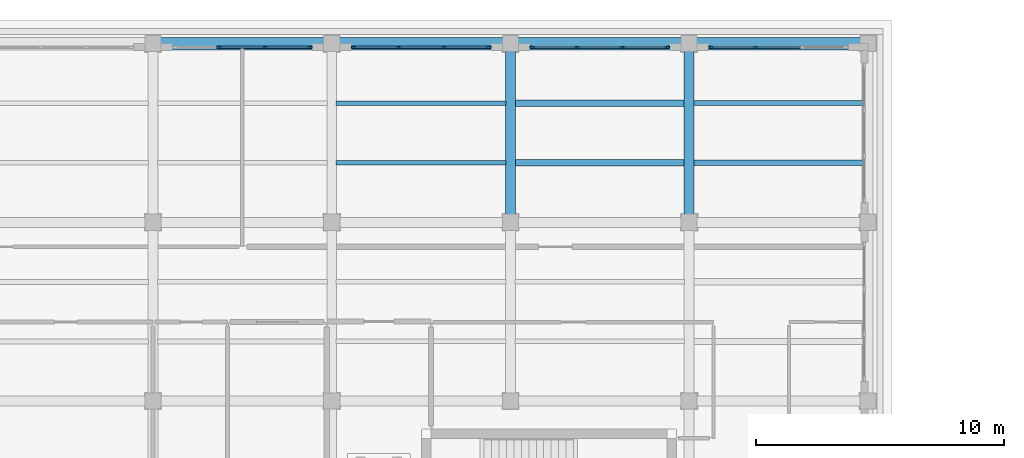
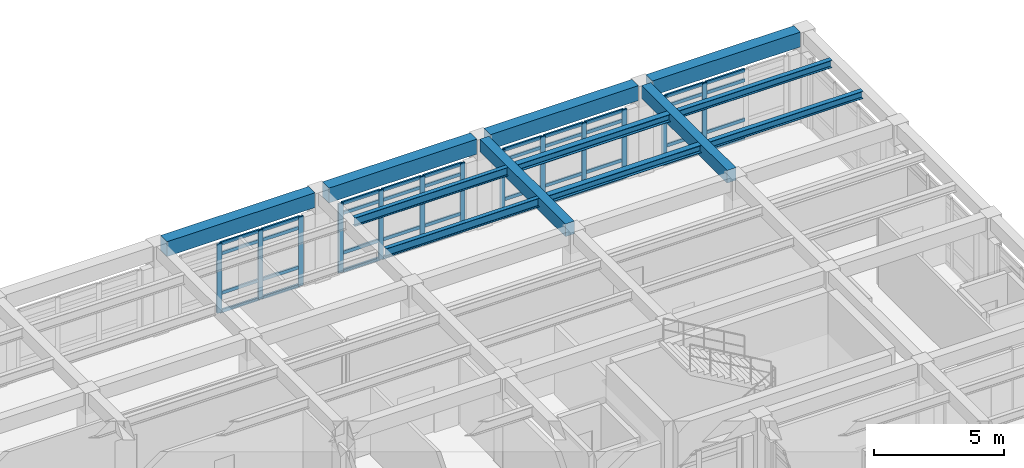
# One storey, part 31 of 55: 53 members, 12 beams, 4 elements without a shape of their own.
"""IFC4 building model written with IfcOpenShell, lengths in metres."""

from ifc_helpers import new_model, si_unit, direction, frame, origin, origin_2d, place, context, subcontext, project, spatial, rectangle, i_section, extrude, material, layer, layer_set, material_profile, profile_set, type_object, element, aggregate, save


model = new_model("IFC4")

# Units and contexts
model_context = context("Model", 3, precision=1e-05, world=origin(), true_north=direction((0.0, 1.0)))
body_context = subcontext(model_context, "Body", "Model", "MODEL_VIEW")
ifc_project = project(units=[si_unit("LENGTHUNIT", "METRE"), si_unit("AREAUNIT", "SQUARE_METRE"), si_unit("VOLUMEUNIT", "CUBIC_METRE"), si_unit("PLANEANGLEUNIT", "RADIAN"), si_unit("MASSUNIT", "GRAM", prefix="KILO")], contexts=[model_context])

# Site, building, storey
site_placement = place(None, origin())
site = spatial("IfcSite", under=ifc_project, at=site_placement, CompositionType="ELEMENT")
building_placement = place(site_placement, origin())
building = spatial("IfcBuilding", under=site, at=building_placement, Name="Solenvale Faculty of Natural Sciences", CompositionType="ELEMENT")
storey_placement = place(building_placement, frame((0.0, 0.0, 22.5)))
storey = spatial("IfcBuildingStorey", under=building, at=storey_placement, Name="L05", CompositionType="ELEMENT", Elevation=22.5)

# Beams
ifc_material_1 = material(Name="Concrete 40 MPa", Category="concrete")
ifc_material_profile_1 = material_profile(ifc_material_1, rectangle(XDim=0.39990234375, YDim=0.60009765625, at=origin_2d()), Name="RC-BM-400x600")
ifc_profile_set_1 = profile_set([ifc_material_profile_1], Name="Concrete 40 MPa")
beam_type_1 = type_object("IfcBeamType", Name="BM-RC-400x600", PredefinedType="BEAM", material=ifc_profile_set_1)
for number, where, z_axis, x_axis, name in (
    (1, (136.800048828125, 108.304931640625, 3.919921875), (0.0, 1.0, 0.0), (-1.0, 0.0, 0.0), "L05 Y-Girder X136.8 (108.0..115.2)"),
    (2, (144.0, 108.304931640625, 3.919921875), (0.0, 1.0, 0.0), (-1.0, 0.0, 0.0), "L05 Y-Girder X144.0 (108.0..115.2)"),
):
    element("IfcBeam", number, at=place(storey_placement, frame(where, z_axis=z_axis, x_axis=x_axis)), inside=storey, type_object=beam_type_1, Name=name, PredefinedType="BEAM", context=body_context, shape_type="SweptSolid", body=[
        extrude(rectangle(XDim=0.39990234375, YDim=0.60009765625, at=origin_2d()), origin(), (0.0, 0.0, 1.0), 6.590087890625),
    ])
ifc_material_2 = material(Name="Precast concrete 40 MPa", Category="concrete")
ifc_material_profile_2 = material_profile(ifc_material_2, rectangle(XDim=0.5, YDim=0.699951171875, at=origin_2d()), Name="RC-BM-500x700")
ifc_profile_set_2 = profile_set([ifc_material_profile_2], Name="Precast concrete 40 MPa")
beam_type_2 = type_object("IfcBeamType", Name="BM-SPN-PRC-700", PredefinedType="SPANDREL", material=ifc_profile_set_2)
beam_placement = place(storey_placement, frame((122.705078125, 115.199951171875, 3.8701171875), z_axis=(1.0, 0.0, 0.0), x_axis=(0.0, 1.0, 0.0)))
element("IfcBeam", 3, at=beam_placement, inside=storey, type_object=beam_type_2, Name="L05 X-Girder Y115.2 (122.4..129.6)", PredefinedType="SPANDREL", context=body_context, shape_type="SweptSolid", body=[
    extrude(rectangle(XDim=0.5, YDim=0.699951171875, at=origin_2d()), origin(), (0.0, 0.0, 1.0), 6.58984375),
])
for number, where, z_axis, x_axis, name in (
    (4, (129.905029296875, 115.199951171875, 3.8701171875), (1.0, 0.0, 0.0), (0.0, 1.0, 0.0), "L05 X-Girder Y115.2 (129.6..136.8)"),
    (5, (137.10498046875, 115.199951171875, 3.8701171875), (1.0, 0.0, 0.0), (0.0, 1.0, 0.0), "L05 X-Girder Y115.2 (136.8..144.0)"),
    (6, (144.304931640625, 115.199951171875, 3.8701171875), (1.0, 0.0, 0.0), (0.0, 1.0, 0.0), "L05 X-Girder Y115.2 (144.0..151.2)"),
):
    element("IfcBeam", number, at=place(storey_placement, frame(where, z_axis=z_axis, x_axis=x_axis)), inside=storey, type_object=beam_type_2, Name=name, PredefinedType="SPANDREL", context=body_context, shape_type="SweptSolid", body=[
        extrude(rectangle(XDim=0.5, YDim=0.699951171875, at=origin_2d()), origin(), (0.0, 0.0, 1.0), 6.590087890625),
    ])
ifc_material_3 = material(Name="Steel S355", Category="steel")
ifc_material_profile_3 = material_profile(ifc_material_3, i_section(OverallWidth=0.2548828125, OverallDepth=0.35693359375, WebThickness=0.010498046875, FlangeThickness=0.018310546875, FilletRadius=0.014892578125, at=origin_2d()), Name="W360x101")
ifc_profile_set_3 = profile_set([ifc_material_profile_3], Name="Steel S355")
beam_type_3 = type_object("IfcBeamType", Name="BM-STL-W360x101", PredefinedType="JOIST", material=ifc_profile_set_3)
for number, where, z_axis, x_axis, name in (
    (7, (136.97998046875, 110.39990234375, 4.04150390625), (1.0, 0.0, 0.0), (0.0, 1.0, 0.0), "L05 Composite Floor Joist (20,16).1"),
    (8, (136.97998046875, 112.800048828125, 4.04150390625), (1.0, 0.0, 0.0), (0.0, 1.0, 0.0), "L05 Composite Floor Joist (20,16).2"),
):
    element("IfcBeam", number, at=place(storey_placement, frame(where, z_axis=z_axis, x_axis=x_axis)), inside=storey, type_object=beam_type_3, Name=name, PredefinedType="JOIST", context=body_context, shape_type="SweptSolid", body=[
        extrude(i_section(OverallWidth=0.2548828125, OverallDepth=0.35693359375, WebThickness=0.010498046875, FlangeThickness=0.018310546875, FilletRadius=0.014892578125, at=origin_2d()), origin(), (0.0, 0.0, 1.0), 6.840087890625),
    ])
ifc_material_profile_4 = material_profile(ifc_material_3, i_section(OverallWidth=0.2041015625, OverallDepth=0.35009765625, WebThickness=0.008544921875, FlangeThickness=0.01513671875, FilletRadius=0.014892578125, at=origin_2d()), Name="W360x72")
ifc_profile_set_4 = profile_set([ifc_material_profile_4], Name="Steel S355")
beam_type_4 = type_object("IfcBeamType", Name="BM-STL-W360x72", PredefinedType="JOIST", material=ifc_profile_set_4)
for number, where, z_axis, x_axis, name in (
    (9, (144.179931640625, 110.39990234375, 4.044921875), (1.0, 0.0, 0.0), (0.0, 1.0, 0.0), "L05 Composite Floor Joist (21,16).1"),
    (10, (144.179931640625, 112.800048828125, 4.044921875), (1.0, 0.0, 0.0), (0.0, 1.0, 0.0), "L05 Composite Floor Joist (21,16).2"),
):
    element("IfcBeam", number, at=place(storey_placement, frame(where, z_axis=z_axis, x_axis=x_axis)), inside=storey, type_object=beam_type_4, Name=name, PredefinedType="JOIST", context=body_context, shape_type="SweptSolid", body=[
        extrude(i_section(OverallWidth=0.2041015625, OverallDepth=0.35009765625, WebThickness=0.008544921875, FlangeThickness=0.01513671875, FilletRadius=0.014892578125, at=origin_2d()), origin(), (0.0, 0.0, 1.0), 6.840087890625),
    ])
ifc_material_profile_5 = material_profile(ifc_material_3, i_section(OverallWidth=0.178955078125, OverallDepth=0.409912109375, WebThickness=0.0087890625, FlangeThickness=0.014404296875, FilletRadius=0.01611328125, at=origin_2d()), Name="W410x67")
ifc_profile_set_5 = profile_set([ifc_material_profile_5], Name="Steel S355")
beam_type_5 = type_object("IfcBeamType", Name="BM-STL-W410x67", PredefinedType="JOIST", material=ifc_profile_set_5)
for number, where, z_axis, x_axis, name in (
    (11, (129.780029296875, 110.39990234375, 4.014892578125), (1.0, 0.0, 0.0), (0.0, 1.0, 0.0), "L05 Composite Floor Joist (19,16).1"),
    (12, (129.780029296875, 112.800048828125, 4.014892578125), (1.0, 0.0, 0.0), (0.0, 1.0, 0.0), "L05 Composite Floor Joist (19,16).2"),
):
    element("IfcBeam", number, at=place(storey_placement, frame(where, z_axis=z_axis, x_axis=x_axis)), inside=storey, type_object=beam_type_5, Name=name, PredefinedType="JOIST", context=body_context, shape_type="SweptSolid", body=[
        extrude(i_section(OverallWidth=0.178955078125, OverallDepth=0.409912109375, WebThickness=0.0087890625, FlangeThickness=0.014404296875, FilletRadius=0.01611328125, at=origin_2d()), origin(), (0.0, 0.0, 1.0), 6.840087890625),
    ])

# Curtain wall, members
ifc_material_4 = material(Name="Anodised bronze aluminium", Category="aluminium")
ifc_layer = layer(ifc_material_4, 0.179931640625)
ifc_layer_set = layer_set([ifc_layer], Name="Anodised bronze aluminium")
curtain_wall_type = type_object("IfcCurtainWallType", Name="CW-TWR-MOD", PredefinedType="USERDEFINED", material=ifc_layer_set)
curtain_wall_1_placement = place(storey_placement, origin())
curtain_wall_1 = element("IfcCurtainWall", 13, at=curtain_wall_1_placement, inside=storey, type_object=curtain_wall_type, Name="L05 Curtain Wall CW-L05-P2-E3-B1", ObjectType="UNITISED CURTAIN WALL", PredefinedType="USERDEFINED")
ifc_material_profile_6 = material_profile(ifc_material_4, rectangle(XDim=0.074951171875, YDim=0.2099609375, at=origin_2d()), Name="ALU-MUL-75x210")
ifc_profile_set_6 = profile_set([ifc_material_profile_6], Name="Anodised bronze aluminium")
member_type_1 = type_object("IfcMemberType", Name="CWM-ALU-75x210", PredefinedType="MULLION", material=ifc_profile_set_6)
member_1_placement = place(storey_placement, frame((146.683349609375, 115.0576171875, 0.0), z_axis=(0.0, 0.0, 1.0), x_axis=(0.0, -1.0, 0.0)))
member_1 = element("IfcMember", 14, at=member_1_placement, type_object=member_type_1, Name="CW-04 mullion 3", PredefinedType="MULLION", context=body_context, shape_type="SweptSolid", body=[
    extrude(rectangle(XDim=0.074951171875, YDim=0.2099609375, at=origin_2d()), origin(), (0.0, 0.0, 1.0), 3.260009765625),
])
member_2_placement = place(storey_placement, frame((144.887451171875, 115.0576171875, 0.0), z_axis=(0.0, 0.0, 1.0), x_axis=(0.0, -1.0, 0.0)))
member_2 = element("IfcMember", 15, at=member_2_placement, type_object=member_type_1, Name="CW-04 mullion 4", PredefinedType="MULLION", context=body_context, shape_type="SweptSolid", body=[
    extrude(rectangle(XDim=0.074951171875, YDim=0.2099609375, at=origin_2d()), origin(), (0.0, 0.0, 1.0), 3.260009765625),
])

curtain_wall_2_placement = place(storey_placement, origin())
curtain_wall_2 = element("IfcCurtainWall", 16, at=curtain_wall_2_placement, inside=storey, type_object=curtain_wall_type, Name="L05 Curtain Wall CW-L05-P2-E3-B2", ObjectType="UNITISED CURTAIN WALL", PredefinedType="USERDEFINED")
member_3_placement = place(storey_placement, frame((143.112548828125, 115.0576171875, 0.0), z_axis=(0.0, 0.0, 1.0), x_axis=(0.0, -1.0, 0.0)))
member_3 = element("IfcMember", 17, at=member_3_placement, type_object=member_type_1, Name="CW-04 mullion 1", PredefinedType="MULLION", context=body_context, shape_type="SweptSolid", body=[
    extrude(rectangle(XDim=0.074951171875, YDim=0.2099609375, at=origin_2d()), origin(), (0.0, 0.0, 1.0), 3.260009765625),
])
member_4_placement = place(storey_placement, frame((141.316650390625, 115.0576171875, 0.0), z_axis=(0.0, 0.0, 1.0), x_axis=(0.0, -1.0, 0.0)))
member_4 = element("IfcMember", 18, at=member_4_placement, type_object=member_type_1, Name="CW-04 mullion 2", PredefinedType="MULLION", context=body_context, shape_type="SweptSolid", body=[
    extrude(rectangle(XDim=0.074951171875, YDim=0.2099609375, at=origin_2d()), origin(), (0.0, 0.0, 1.0), 3.260009765625),
])
member_5_placement = place(storey_placement, frame((139.4833984375, 115.0576171875, 0.0), z_axis=(0.0, 0.0, 1.0), x_axis=(0.0, -1.0, 0.0)))
member_5 = element("IfcMember", 19, at=member_5_placement, type_object=member_type_1, Name="CW-04 mullion 3", PredefinedType="MULLION", context=body_context, shape_type="SweptSolid", body=[
    extrude(rectangle(XDim=0.074951171875, YDim=0.2099609375, at=origin_2d()), origin(), (0.0, 0.0, 1.0), 3.260009765625),
])
member_6_placement = place(storey_placement, frame((137.6875, 115.0576171875, 0.0), z_axis=(0.0, 0.0, 1.0), x_axis=(0.0, -1.0, 0.0)))
member_6 = element("IfcMember", 20, at=member_6_placement, type_object=member_type_1, Name="CW-04 mullion 4", PredefinedType="MULLION", context=body_context, shape_type="SweptSolid", body=[
    extrude(rectangle(XDim=0.074951171875, YDim=0.2099609375, at=origin_2d()), origin(), (0.0, 0.0, 1.0), 3.260009765625),
])

curtain_wall_3_placement = place(storey_placement, origin())
curtain_wall_3 = element("IfcCurtainWall", 21, at=curtain_wall_3_placement, inside=storey, type_object=curtain_wall_type, Name="L05 Curtain Wall CW-L05-P2-E3-B3", ObjectType="UNITISED CURTAIN WALL", PredefinedType="USERDEFINED")
member_7_placement = place(storey_placement, frame((135.91259765625, 115.0576171875, 0.0), z_axis=(0.0, 0.0, 1.0), x_axis=(0.0, -1.0, 0.0)))
member_7 = element("IfcMember", 22, at=member_7_placement, type_object=member_type_1, Name="CW-04 mullion 1", PredefinedType="MULLION", context=body_context, shape_type="SweptSolid", body=[
    extrude(rectangle(XDim=0.074951171875, YDim=0.2099609375, at=origin_2d()), origin(), (0.0, 0.0, 1.0), 3.260009765625),
])
member_8_placement = place(storey_placement, frame((134.11669921875, 115.0576171875, 0.0), z_axis=(0.0, 0.0, 1.0), x_axis=(0.0, -1.0, 0.0)))
member_8 = element("IfcMember", 23, at=member_8_placement, type_object=member_type_1, Name="CW-04 mullion 2", PredefinedType="MULLION", context=body_context, shape_type="SweptSolid", body=[
    extrude(rectangle(XDim=0.074951171875, YDim=0.2099609375, at=origin_2d()), origin(), (0.0, 0.0, 1.0), 3.260009765625),
])
member_9_placement = place(storey_placement, frame((132.283447265625, 115.0576171875, 0.0), z_axis=(0.0, 0.0, 1.0), x_axis=(0.0, -1.0, 0.0)))
member_9 = element("IfcMember", 24, at=member_9_placement, type_object=member_type_1, Name="CW-04 mullion 3", PredefinedType="MULLION", context=body_context, shape_type="SweptSolid", body=[
    extrude(rectangle(XDim=0.074951171875, YDim=0.2099609375, at=origin_2d()), origin(), (0.0, 0.0, 1.0), 3.260009765625),
])
member_10_placement = place(storey_placement, frame((130.487548828125, 115.0576171875, 0.0), z_axis=(0.0, 0.0, 1.0), x_axis=(0.0, -1.0, 0.0)))
member_10 = element("IfcMember", 25, at=member_10_placement, type_object=member_type_1, Name="CW-04 mullion 4", PredefinedType="MULLION", context=body_context, shape_type="SweptSolid", body=[
    extrude(rectangle(XDim=0.074951171875, YDim=0.2099609375, at=origin_2d()), origin(), (0.0, 0.0, 1.0), 3.260009765625),
])

curtain_wall_4_placement = place(storey_placement, origin())
curtain_wall_4 = element("IfcCurtainWall", 26, at=curtain_wall_4_placement, inside=storey, type_object=curtain_wall_type, Name="L05 Curtain Wall CW-L05-P2-E3-B4", ObjectType="UNITISED CURTAIN WALL", PredefinedType="USERDEFINED")
member_11_placement = place(storey_placement, frame((128.71240234375, 115.0576171875, 0.0), z_axis=(0.0, 0.0, 1.0), x_axis=(0.0, -1.0, 0.0)))
member_11 = element("IfcMember", 27, at=member_11_placement, type_object=member_type_1, Name="CW-04 mullion 1", PredefinedType="MULLION", context=body_context, shape_type="SweptSolid", body=[
    extrude(rectangle(XDim=0.074951171875, YDim=0.2099609375, at=origin_2d()), origin(), (0.0, 0.0, 1.0), 3.260009765625),
])
member_12_placement = place(storey_placement, frame((126.916748046875, 115.0576171875, 0.0), z_axis=(0.0, 0.0, 1.0), x_axis=(0.0, -1.0, 0.0)))
member_12 = element("IfcMember", 28, at=member_12_placement, type_object=member_type_1, Name="CW-04 mullion 2", PredefinedType="MULLION", context=body_context, shape_type="SweptSolid", body=[
    extrude(rectangle(XDim=0.074951171875, YDim=0.2099609375, at=origin_2d()), origin(), (0.0, 0.0, 1.0), 3.260009765625),
])
member_13_placement = place(storey_placement, frame((125.083251953125, 115.0576171875, 0.0), z_axis=(0.0, 0.0, 1.0), x_axis=(0.0, -1.0, 0.0)))
member_13 = element("IfcMember", 29, at=member_13_placement, type_object=member_type_1, Name="CW-04 mullion 3", PredefinedType="MULLION", context=body_context, shape_type="SweptSolid", body=[
    extrude(rectangle(XDim=0.074951171875, YDim=0.2099609375, at=origin_2d()), origin(), (0.0, 0.0, 1.0), 3.260009765625),
])

# Member
ifc_material_profile_7 = material_profile(ifc_material_4, rectangle(XDim=0.074951171875, YDim=0.155029296875, at=origin_2d()), Name="ALU-TRN-75x155")
ifc_profile_set_7 = profile_set([ifc_material_profile_7], Name="Anodised bronze aluminium")
member_type_2 = type_object("IfcMemberType", Name="CWT-ALU-75x155", PredefinedType="USERDEFINED", material=ifc_profile_set_7)
member_14_placement = place(storey_placement, frame((148.479248046875, 115.0576171875, 0.03759765625), z_axis=(-1.0, 0.0, 0.0), x_axis=(0.0, -1.0, 0.0)))
member_14 = element("IfcMember", 30, at=member_14_placement, type_object=member_type_2, Name="CW-04 transom 2.1", ObjectType="TRANSOM", PredefinedType="USERDEFINED", context=body_context, shape_type="SweptSolid", body=[
    extrude(rectangle(XDim=0.074951171875, YDim=0.155029296875, at=origin_2d()), origin(), (0.0, 0.0, 1.0), 1.75830078125),
])

member_15_placement = place(storey_placement, frame((148.479248046875, 115.0576171875, 0.89990234375), z_axis=(-1.0, 0.0, 0.0), x_axis=(0.0, -1.0, 0.0)))
member_15 = element("IfcMember", 31, at=member_15_placement, type_object=member_type_2, Name="CW-04 transom 2.2", ObjectType="TRANSOM", PredefinedType="USERDEFINED", context=body_context, shape_type="SweptSolid", body=[
    extrude(rectangle(XDim=0.074951171875, YDim=0.155029296875, at=origin_2d()), origin(), (0.0, 0.0, 1.0), 1.75830078125),
])

member_16_placement = place(storey_placement, frame((148.479248046875, 115.0576171875, 2.760009765625), z_axis=(-1.0, 0.0, 0.0), x_axis=(0.0, -1.0, 0.0)))
member_16 = element("IfcMember", 32, at=member_16_placement, type_object=member_type_2, Name="CW-04 transom 2.3", ObjectType="TRANSOM", PredefinedType="USERDEFINED", context=body_context, shape_type="SweptSolid", body=[
    extrude(rectangle(XDim=0.074951171875, YDim=0.155029296875, at=origin_2d()), origin(), (0.0, 0.0, 1.0), 1.75830078125),
])

member_17_placement = place(storey_placement, frame((148.479248046875, 115.0576171875, 3.222412109375), z_axis=(-1.0, 0.0, 0.0), x_axis=(0.0, -1.0, 0.0)))
member_17 = element("IfcMember", 33, at=member_17_placement, type_object=member_type_2, Name="CW-04 transom 2.4", ObjectType="TRANSOM", PredefinedType="USERDEFINED", context=body_context, shape_type="SweptSolid", body=[
    extrude(rectangle(XDim=0.074951171875, YDim=0.155029296875, at=origin_2d()), origin(), (0.0, 0.0, 1.0), 1.75830078125),
])

member_18_placement = place(storey_placement, frame((146.645751953125, 115.0576171875, 0.03759765625), z_axis=(-1.0, 0.0, 0.0), x_axis=(0.0, -1.0, 0.0)))
member_18 = element("IfcMember", 34, at=member_18_placement, type_object=member_type_2, Name="CW-04 transom 3.1", ObjectType="TRANSOM", PredefinedType="USERDEFINED", context=body_context, shape_type="SweptSolid", body=[
    extrude(rectangle(XDim=0.074951171875, YDim=0.155029296875, at=origin_2d()), origin(), (0.0, 0.0, 1.0), 1.720703125),
])

member_19_placement = place(storey_placement, frame((146.645751953125, 115.0576171875, 0.89990234375), z_axis=(-1.0, 0.0, 0.0), x_axis=(0.0, -1.0, 0.0)))
member_19 = element("IfcMember", 35, at=member_19_placement, type_object=member_type_2, Name="CW-04 transom 3.2", ObjectType="TRANSOM", PredefinedType="USERDEFINED", context=body_context, shape_type="SweptSolid", body=[
    extrude(rectangle(XDim=0.074951171875, YDim=0.155029296875, at=origin_2d()), origin(), (0.0, 0.0, 1.0), 1.720703125),
])

member_20_placement = place(storey_placement, frame((146.645751953125, 115.0576171875, 2.760009765625), z_axis=(-1.0, 0.0, 0.0), x_axis=(0.0, -1.0, 0.0)))
member_20 = element("IfcMember", 36, at=member_20_placement, type_object=member_type_2, Name="CW-04 transom 3.3", ObjectType="TRANSOM", PredefinedType="USERDEFINED", context=body_context, shape_type="SweptSolid", body=[
    extrude(rectangle(XDim=0.074951171875, YDim=0.155029296875, at=origin_2d()), origin(), (0.0, 0.0, 1.0), 1.720703125),
])

member_21_placement = place(storey_placement, frame((146.645751953125, 115.0576171875, 3.222412109375), z_axis=(-1.0, 0.0, 0.0), x_axis=(0.0, -1.0, 0.0)))
member_21 = element("IfcMember", 37, at=member_21_placement, type_object=member_type_2, Name="CW-04 transom 3.4", ObjectType="TRANSOM", PredefinedType="USERDEFINED", context=body_context, shape_type="SweptSolid", body=[
    extrude(rectangle(XDim=0.074951171875, YDim=0.155029296875, at=origin_2d()), origin(), (0.0, 0.0, 1.0), 1.720703125),
])

aggregate(curtain_wall_1, [member_1, member_2, member_14, member_15, member_16, member_17, member_18, member_19, member_20, member_21])

member_22_placement = place(storey_placement, frame((143.074951171875, 115.0576171875, 0.03759765625), z_axis=(-1.0, 0.0, 0.0), x_axis=(0.0, -1.0, 0.0)))
member_22 = element("IfcMember", 38, at=member_22_placement, type_object=member_type_2, Name="CW-04 transom 1.1", ObjectType="TRANSOM", PredefinedType="USERDEFINED", context=body_context, shape_type="SweptSolid", body=[
    extrude(rectangle(XDim=0.074951171875, YDim=0.155029296875, at=origin_2d()), origin(), (0.0, 0.0, 1.0), 1.720703125),
])

member_23_placement = place(storey_placement, frame((143.074951171875, 115.0576171875, 0.89990234375), z_axis=(-1.0, 0.0, 0.0), x_axis=(0.0, -1.0, 0.0)))
member_23 = element("IfcMember", 39, at=member_23_placement, type_object=member_type_2, Name="CW-04 transom 1.2", ObjectType="TRANSOM", PredefinedType="USERDEFINED", context=body_context, shape_type="SweptSolid", body=[
    extrude(rectangle(XDim=0.074951171875, YDim=0.155029296875, at=origin_2d()), origin(), (0.0, 0.0, 1.0), 1.720703125),
])

member_24_placement = place(storey_placement, frame((143.074951171875, 115.0576171875, 2.760009765625), z_axis=(-1.0, 0.0, 0.0), x_axis=(0.0, -1.0, 0.0)))
member_24 = element("IfcMember", 40, at=member_24_placement, type_object=member_type_2, Name="CW-04 transom 1.3", ObjectType="TRANSOM", PredefinedType="USERDEFINED", context=body_context, shape_type="SweptSolid", body=[
    extrude(rectangle(XDim=0.074951171875, YDim=0.155029296875, at=origin_2d()), origin(), (0.0, 0.0, 1.0), 1.720703125),
])

member_25_placement = place(storey_placement, frame((143.074951171875, 115.0576171875, 3.222412109375), z_axis=(-1.0, 0.0, 0.0), x_axis=(0.0, -1.0, 0.0)))
member_25 = element("IfcMember", 41, at=member_25_placement, type_object=member_type_2, Name="CW-04 transom 1.4", ObjectType="TRANSOM", PredefinedType="USERDEFINED", context=body_context, shape_type="SweptSolid", body=[
    extrude(rectangle(XDim=0.074951171875, YDim=0.155029296875, at=origin_2d()), origin(), (0.0, 0.0, 1.0), 1.720703125),
])

member_26_placement = place(storey_placement, frame((141.279052734375, 115.0576171875, 0.03759765625), z_axis=(-1.0, 0.0, 0.0), x_axis=(0.0, -1.0, 0.0)))
member_26 = element("IfcMember", 42, at=member_26_placement, type_object=member_type_2, Name="CW-04 transom 2.1", ObjectType="TRANSOM", PredefinedType="USERDEFINED", context=body_context, shape_type="SweptSolid", body=[
    extrude(rectangle(XDim=0.074951171875, YDim=0.155029296875, at=origin_2d()), origin(), (0.0, 0.0, 1.0), 1.75830078125),
])

member_27_placement = place(storey_placement, frame((141.279052734375, 115.0576171875, 0.89990234375), z_axis=(-1.0, 0.0, 0.0), x_axis=(0.0, -1.0, 0.0)))
member_27 = element("IfcMember", 43, at=member_27_placement, type_object=member_type_2, Name="CW-04 transom 2.2", ObjectType="TRANSOM", PredefinedType="USERDEFINED", context=body_context, shape_type="SweptSolid", body=[
    extrude(rectangle(XDim=0.074951171875, YDim=0.155029296875, at=origin_2d()), origin(), (0.0, 0.0, 1.0), 1.75830078125),
])

member_28_placement = place(storey_placement, frame((141.279052734375, 115.0576171875, 2.760009765625), z_axis=(-1.0, 0.0, 0.0), x_axis=(0.0, -1.0, 0.0)))
member_28 = element("IfcMember", 44, at=member_28_placement, type_object=member_type_2, Name="CW-04 transom 2.3", ObjectType="TRANSOM", PredefinedType="USERDEFINED", context=body_context, shape_type="SweptSolid", body=[
    extrude(rectangle(XDim=0.074951171875, YDim=0.155029296875, at=origin_2d()), origin(), (0.0, 0.0, 1.0), 1.75830078125),
])

member_29_placement = place(storey_placement, frame((141.279052734375, 115.0576171875, 3.222412109375), z_axis=(-1.0, 0.0, 0.0), x_axis=(0.0, -1.0, 0.0)))
member_29 = element("IfcMember", 45, at=member_29_placement, type_object=member_type_2, Name="CW-04 transom 2.4", ObjectType="TRANSOM", PredefinedType="USERDEFINED", context=body_context, shape_type="SweptSolid", body=[
    extrude(rectangle(XDim=0.074951171875, YDim=0.155029296875, at=origin_2d()), origin(), (0.0, 0.0, 1.0), 1.75830078125),
])

member_30_placement = place(storey_placement, frame((139.44580078125, 115.0576171875, 0.03759765625), z_axis=(-1.0, 0.0, 0.0), x_axis=(0.0, -1.0, 0.0)))
member_30 = element("IfcMember", 46, at=member_30_placement, type_object=member_type_2, Name="CW-04 transom 3.1", ObjectType="TRANSOM", PredefinedType="USERDEFINED", context=body_context, shape_type="SweptSolid", body=[
    extrude(rectangle(XDim=0.074951171875, YDim=0.155029296875, at=origin_2d()), origin(), (0.0, 0.0, 1.0), 1.720703125),
])

member_31_placement = place(storey_placement, frame((139.44580078125, 115.0576171875, 0.89990234375), z_axis=(-1.0, 0.0, 0.0), x_axis=(0.0, -1.0, 0.0)))
member_31 = element("IfcMember", 47, at=member_31_placement, type_object=member_type_2, Name="CW-04 transom 3.2", ObjectType="TRANSOM", PredefinedType="USERDEFINED", context=body_context, shape_type="SweptSolid", body=[
    extrude(rectangle(XDim=0.074951171875, YDim=0.155029296875, at=origin_2d()), origin(), (0.0, 0.0, 1.0), 1.720703125),
])

member_32_placement = place(storey_placement, frame((139.44580078125, 115.0576171875, 2.760009765625), z_axis=(-1.0, 0.0, 0.0), x_axis=(0.0, -1.0, 0.0)))
member_32 = element("IfcMember", 48, at=member_32_placement, type_object=member_type_2, Name="CW-04 transom 3.3", ObjectType="TRANSOM", PredefinedType="USERDEFINED", context=body_context, shape_type="SweptSolid", body=[
    extrude(rectangle(XDim=0.074951171875, YDim=0.155029296875, at=origin_2d()), origin(), (0.0, 0.0, 1.0), 1.720703125),
])

member_33_placement = place(storey_placement, frame((139.44580078125, 115.0576171875, 3.222412109375), z_axis=(-1.0, 0.0, 0.0), x_axis=(0.0, -1.0, 0.0)))
member_33 = element("IfcMember", 49, at=member_33_placement, type_object=member_type_2, Name="CW-04 transom 3.4", ObjectType="TRANSOM", PredefinedType="USERDEFINED", context=body_context, shape_type="SweptSolid", body=[
    extrude(rectangle(XDim=0.074951171875, YDim=0.155029296875, at=origin_2d()), origin(), (0.0, 0.0, 1.0), 1.720703125),
])

aggregate(curtain_wall_2, [member_3, member_4, member_5, member_6, member_22, member_23, member_24, member_25, member_26, member_27, member_28, member_29, member_30, member_31, member_32, member_33])

member_34_placement = place(storey_placement, frame((135.875, 115.0576171875, 0.03759765625), z_axis=(-1.0, 0.0, 0.0), x_axis=(0.0, -1.0, 0.0)))
member_34 = element("IfcMember", 50, at=member_34_placement, type_object=member_type_2, Name="CW-04 transom 1.1", ObjectType="TRANSOM", PredefinedType="USERDEFINED", context=body_context, shape_type="SweptSolid", body=[
    extrude(rectangle(XDim=0.074951171875, YDim=0.155029296875, at=origin_2d()), origin(), (0.0, 0.0, 1.0), 1.720947265625),
])

member_35_placement = place(storey_placement, frame((135.875, 115.0576171875, 0.89990234375), z_axis=(-1.0, 0.0, 0.0), x_axis=(0.0, -1.0, 0.0)))
member_35 = element("IfcMember", 51, at=member_35_placement, type_object=member_type_2, Name="CW-04 transom 1.2", ObjectType="TRANSOM", PredefinedType="USERDEFINED", context=body_context, shape_type="SweptSolid", body=[
    extrude(rectangle(XDim=0.074951171875, YDim=0.155029296875, at=origin_2d()), origin(), (0.0, 0.0, 1.0), 1.720947265625),
])

member_36_placement = place(storey_placement, frame((135.875, 115.0576171875, 2.760009765625), z_axis=(-1.0, 0.0, 0.0), x_axis=(0.0, -1.0, 0.0)))
member_36 = element("IfcMember", 52, at=member_36_placement, type_object=member_type_2, Name="CW-04 transom 1.3", ObjectType="TRANSOM", PredefinedType="USERDEFINED", context=body_context, shape_type="SweptSolid", body=[
    extrude(rectangle(XDim=0.074951171875, YDim=0.155029296875, at=origin_2d()), origin(), (0.0, 0.0, 1.0), 1.720947265625),
])

member_37_placement = place(storey_placement, frame((135.875, 115.0576171875, 3.222412109375), z_axis=(-1.0, 0.0, 0.0), x_axis=(0.0, -1.0, 0.0)))
member_37 = element("IfcMember", 53, at=member_37_placement, type_object=member_type_2, Name="CW-04 transom 1.4", ObjectType="TRANSOM", PredefinedType="USERDEFINED", context=body_context, shape_type="SweptSolid", body=[
    extrude(rectangle(XDim=0.074951171875, YDim=0.155029296875, at=origin_2d()), origin(), (0.0, 0.0, 1.0), 1.720947265625),
])

member_38_placement = place(storey_placement, frame((134.0791015625, 115.0576171875, 0.03759765625), z_axis=(-1.0, 0.0, 0.0), x_axis=(0.0, -1.0, 0.0)))
member_38 = element("IfcMember", 54, at=member_38_placement, type_object=member_type_2, Name="CW-04 transom 2.1", ObjectType="TRANSOM", PredefinedType="USERDEFINED", context=body_context, shape_type="SweptSolid", body=[
    extrude(rectangle(XDim=0.074951171875, YDim=0.155029296875, at=origin_2d()), origin(), (0.0, 0.0, 1.0), 1.75830078125),
])

member_39_placement = place(storey_placement, frame((134.0791015625, 115.0576171875, 0.89990234375), z_axis=(-1.0, 0.0, 0.0), x_axis=(0.0, -1.0, 0.0)))
member_39 = element("IfcMember", 55, at=member_39_placement, type_object=member_type_2, Name="CW-04 transom 2.2", ObjectType="TRANSOM", PredefinedType="USERDEFINED", context=body_context, shape_type="SweptSolid", body=[
    extrude(rectangle(XDim=0.074951171875, YDim=0.155029296875, at=origin_2d()), origin(), (0.0, 0.0, 1.0), 1.75830078125),
])

member_40_placement = place(storey_placement, frame((134.0791015625, 115.0576171875, 2.760009765625), z_axis=(-1.0, 0.0, 0.0), x_axis=(0.0, -1.0, 0.0)))
member_40 = element("IfcMember", 56, at=member_40_placement, type_object=member_type_2, Name="CW-04 transom 2.3", ObjectType="TRANSOM", PredefinedType="USERDEFINED", context=body_context, shape_type="SweptSolid", body=[
    extrude(rectangle(XDim=0.074951171875, YDim=0.155029296875, at=origin_2d()), origin(), (0.0, 0.0, 1.0), 1.75830078125),
])

member_41_placement = place(storey_placement, frame((134.0791015625, 115.0576171875, 3.222412109375), z_axis=(-1.0, 0.0, 0.0), x_axis=(0.0, -1.0, 0.0)))
member_41 = element("IfcMember", 57, at=member_41_placement, type_object=member_type_2, Name="CW-04 transom 2.4", ObjectType="TRANSOM", PredefinedType="USERDEFINED", context=body_context, shape_type="SweptSolid", body=[
    extrude(rectangle(XDim=0.074951171875, YDim=0.155029296875, at=origin_2d()), origin(), (0.0, 0.0, 1.0), 1.75830078125),
])

member_42_placement = place(storey_placement, frame((132.245849609375, 115.0576171875, 0.03759765625), z_axis=(-1.0, 0.0, 0.0), x_axis=(0.0, -1.0, 0.0)))
member_42 = element("IfcMember", 58, at=member_42_placement, type_object=member_type_2, Name="CW-04 transom 3.1", ObjectType="TRANSOM", PredefinedType="USERDEFINED", context=body_context, shape_type="SweptSolid", body=[
    extrude(rectangle(XDim=0.074951171875, YDim=0.155029296875, at=origin_2d()), origin(), (0.0, 0.0, 1.0), 1.720947265625),
])

member_43_placement = place(storey_placement, frame((132.245849609375, 115.0576171875, 0.89990234375), z_axis=(-1.0, 0.0, 0.0), x_axis=(0.0, -1.0, 0.0)))
member_43 = element("IfcMember", 59, at=member_43_placement, type_object=member_type_2, Name="CW-04 transom 3.2", ObjectType="TRANSOM", PredefinedType="USERDEFINED", context=body_context, shape_type="SweptSolid", body=[
    extrude(rectangle(XDim=0.074951171875, YDim=0.155029296875, at=origin_2d()), origin(), (0.0, 0.0, 1.0), 1.720947265625),
])

member_44_placement = place(storey_placement, frame((132.245849609375, 115.0576171875, 2.760009765625), z_axis=(-1.0, 0.0, 0.0), x_axis=(0.0, -1.0, 0.0)))
member_44 = element("IfcMember", 60, at=member_44_placement, type_object=member_type_2, Name="CW-04 transom 3.3", ObjectType="TRANSOM", PredefinedType="USERDEFINED", context=body_context, shape_type="SweptSolid", body=[
    extrude(rectangle(XDim=0.074951171875, YDim=0.155029296875, at=origin_2d()), origin(), (0.0, 0.0, 1.0), 1.720947265625),
])

member_45_placement = place(storey_placement, frame((132.245849609375, 115.0576171875, 3.222412109375), z_axis=(-1.0, 0.0, 0.0), x_axis=(0.0, -1.0, 0.0)))
member_45 = element("IfcMember", 61, at=member_45_placement, type_object=member_type_2, Name="CW-04 transom 3.4", ObjectType="TRANSOM", PredefinedType="USERDEFINED", context=body_context, shape_type="SweptSolid", body=[
    extrude(rectangle(XDim=0.074951171875, YDim=0.155029296875, at=origin_2d()), origin(), (0.0, 0.0, 1.0), 1.720947265625),
])

aggregate(curtain_wall_3, [member_7, member_8, member_9, member_10, member_34, member_35, member_36, member_37, member_38, member_39, member_40, member_41, member_42, member_43, member_44, member_45])

member_46_placement = place(storey_placement, frame((128.675048828125, 115.0576171875, 0.03759765625), z_axis=(-1.0, 0.0, 0.0), x_axis=(0.0, -1.0, 0.0)))
member_46 = element("IfcMember", 62, at=member_46_placement, type_object=member_type_2, Name="CW-04 transom 1.1", ObjectType="TRANSOM", PredefinedType="USERDEFINED", context=body_context, shape_type="SweptSolid", body=[
    extrude(rectangle(XDim=0.074951171875, YDim=0.155029296875, at=origin_2d()), origin(), (0.0, 0.0, 1.0), 1.720947265625),
])

member_47_placement = place(storey_placement, frame((128.675048828125, 115.0576171875, 0.89990234375), z_axis=(-1.0, 0.0, 0.0), x_axis=(0.0, -1.0, 0.0)))
member_47 = element("IfcMember", 63, at=member_47_placement, type_object=member_type_2, Name="CW-04 transom 1.2", ObjectType="TRANSOM", PredefinedType="USERDEFINED", context=body_context, shape_type="SweptSolid", body=[
    extrude(rectangle(XDim=0.074951171875, YDim=0.155029296875, at=origin_2d()), origin(), (0.0, 0.0, 1.0), 1.720947265625),
])

member_48_placement = place(storey_placement, frame((128.675048828125, 115.0576171875, 2.760009765625), z_axis=(-1.0, 0.0, 0.0), x_axis=(0.0, -1.0, 0.0)))
member_48 = element("IfcMember", 64, at=member_48_placement, type_object=member_type_2, Name="CW-04 transom 1.3", ObjectType="TRANSOM", PredefinedType="USERDEFINED", context=body_context, shape_type="SweptSolid", body=[
    extrude(rectangle(XDim=0.074951171875, YDim=0.155029296875, at=origin_2d()), origin(), (0.0, 0.0, 1.0), 1.720947265625),
])

member_49_placement = place(storey_placement, frame((128.675048828125, 115.0576171875, 3.222412109375), z_axis=(-1.0, 0.0, 0.0), x_axis=(0.0, -1.0, 0.0)))
member_49 = element("IfcMember", 65, at=member_49_placement, type_object=member_type_2, Name="CW-04 transom 1.4", ObjectType="TRANSOM", PredefinedType="USERDEFINED", context=body_context, shape_type="SweptSolid", body=[
    extrude(rectangle(XDim=0.074951171875, YDim=0.155029296875, at=origin_2d()), origin(), (0.0, 0.0, 1.0), 1.720947265625),
])

member_50_placement = place(storey_placement, frame((126.879150390625, 115.0576171875, 0.03759765625), z_axis=(-1.0, 0.0, 0.0), x_axis=(0.0, -1.0, 0.0)))
member_50 = element("IfcMember", 66, at=member_50_placement, type_object=member_type_2, Name="CW-04 transom 2.1", ObjectType="TRANSOM", PredefinedType="USERDEFINED", context=body_context, shape_type="SweptSolid", body=[
    extrude(rectangle(XDim=0.074951171875, YDim=0.155029296875, at=origin_2d()), origin(), (0.0, 0.0, 1.0), 1.75830078125),
])

member_51_placement = place(storey_placement, frame((126.879150390625, 115.0576171875, 0.89990234375), z_axis=(-1.0, 0.0, 0.0), x_axis=(0.0, -1.0, 0.0)))
member_51 = element("IfcMember", 67, at=member_51_placement, type_object=member_type_2, Name="CW-04 transom 2.2", ObjectType="TRANSOM", PredefinedType="USERDEFINED", context=body_context, shape_type="SweptSolid", body=[
    extrude(rectangle(XDim=0.074951171875, YDim=0.155029296875, at=origin_2d()), origin(), (0.0, 0.0, 1.0), 1.75830078125),
])

member_52_placement = place(storey_placement, frame((126.879150390625, 115.0576171875, 2.760009765625), z_axis=(-1.0, 0.0, 0.0), x_axis=(0.0, -1.0, 0.0)))
member_52 = element("IfcMember", 68, at=member_52_placement, type_object=member_type_2, Name="CW-04 transom 2.3", ObjectType="TRANSOM", PredefinedType="USERDEFINED", context=body_context, shape_type="SweptSolid", body=[
    extrude(rectangle(XDim=0.074951171875, YDim=0.155029296875, at=origin_2d()), origin(), (0.0, 0.0, 1.0), 1.75830078125),
])

member_53_placement = place(storey_placement, frame((126.879150390625, 115.0576171875, 3.222412109375), z_axis=(-1.0, 0.0, 0.0), x_axis=(0.0, -1.0, 0.0)))
member_53 = element("IfcMember", 69, at=member_53_placement, type_object=member_type_2, Name="CW-04 transom 2.4", ObjectType="TRANSOM", PredefinedType="USERDEFINED", context=body_context, shape_type="SweptSolid", body=[
    extrude(rectangle(XDim=0.074951171875, YDim=0.155029296875, at=origin_2d()), origin(), (0.0, 0.0, 1.0), 1.75830078125),
])

aggregate(curtain_wall_4, [member_11, member_12, member_13, member_46, member_47, member_48, member_49, member_50, member_51, member_52, member_53])

save(model, "model.ifc")
